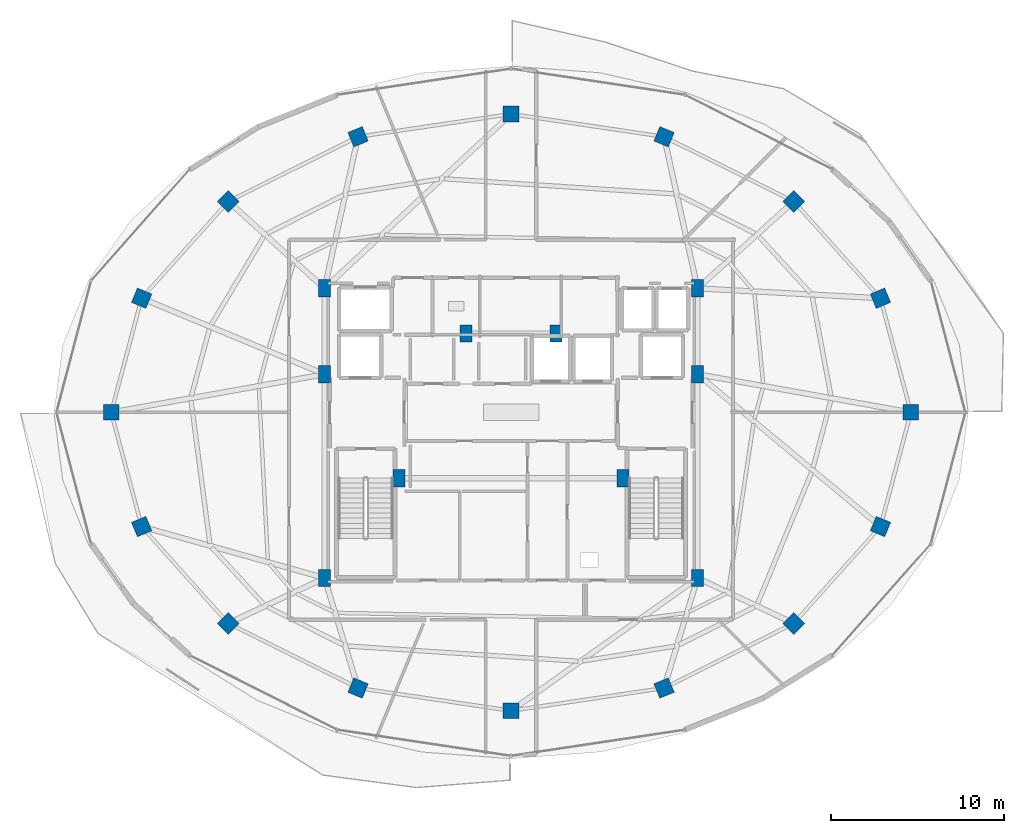
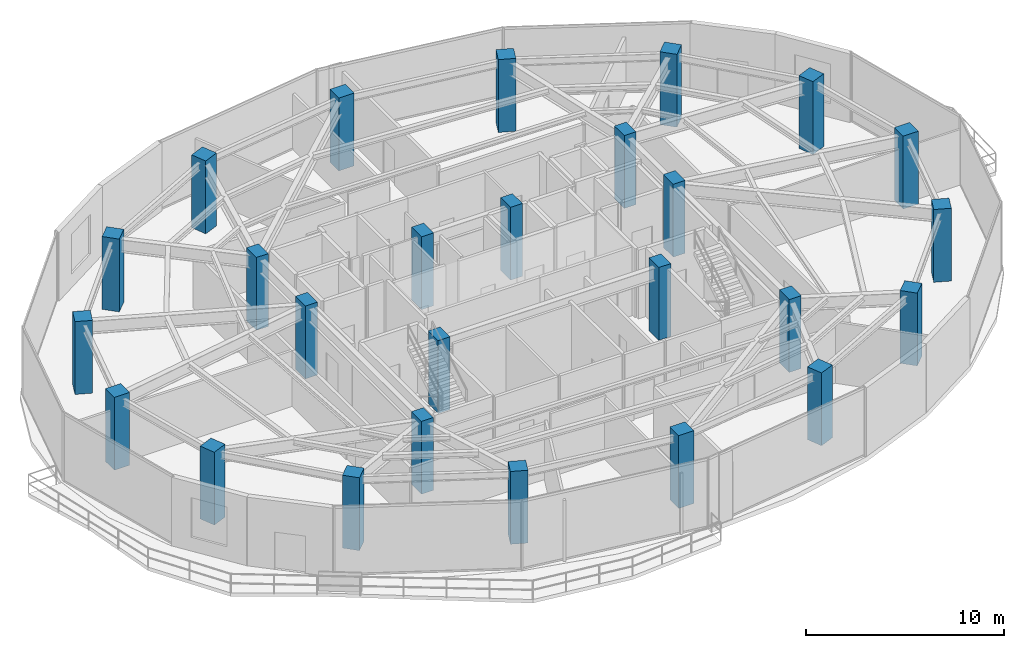
# One storey, part 1 of 27: 26 columns.
"""IFC4 building model written with IfcOpenShell, lengths in metres."""

from ifc_helpers import new_model, si_unit, direction, frame, origin, origin_2d, place, context, subcontext, project, spatial, rectangle, extrude, material, material_profile, profile_set, type_object, element, save


model = new_model("IFC4")

# Units and contexts
model_context = context("Model", 3, precision=1e-05, world=origin(), true_north=direction((0.0, 1.0)))
body_context = subcontext(model_context, "Body", "Model", "MODEL_VIEW")
ifc_project = project(units=[si_unit("LENGTHUNIT", "METRE"), si_unit("AREAUNIT", "SQUARE_METRE"), si_unit("VOLUMEUNIT", "CUBIC_METRE"), si_unit("PLANEANGLEUNIT", "RADIAN"), si_unit("MASSUNIT", "GRAM", prefix="KILO")], contexts=[model_context])

# Site, building, storey
site_placement = place(None, origin())
site = spatial("IfcSite", under=ifc_project, at=site_placement, CompositionType="ELEMENT")
building_placement = place(site_placement, origin())
building = spatial("IfcBuilding", under=site, at=building_placement, Name="Vorneva Point Tower", CompositionType="ELEMENT")
storey_placement = place(building_placement, frame((0.0, 0.0, 229.75)))
storey = spatial("IfcBuildingStorey", under=building, at=storey_placement, Name="L62", CompositionType="ELEMENT", Elevation=229.75)

# Columns
ifc_material = material(Name="Concrete B50 (C40/50)", Category="concrete")
ifc_material_profile_1 = material_profile(ifc_material, rectangle(XDim=0.89990234375, YDim=0.89990234375, at=origin_2d()), Name="RC-COL 900x900")
ifc_profile_set_1 = profile_set([ifc_material_profile_1], Name="Concrete B50 (C40/50)")
column_type_1 = type_object("IfcColumnType", Name="COL-RC900", PredefinedType="COLUMN", material=ifc_profile_set_1)
for number, where, z_axis, x_axis, name in (
    (1, (61.050048828125, 26.0, 0.0), (0.0, 0.0, 1.0), (1.0, 0.0, 0.0), "L62 Perimeter Column P01"),
    (2, (59.29541015625, 32.582275390625, 0.0), (0.0, 0.0, 1.0), (0.923879532511, 0.382683432365, 0.0), "L62 Perimeter Column P02"),
    (3, (54.298828125, 38.162109375, 0.0), (0.0, 0.0, 1.0), (0.707106781187, 0.707106781187, 0.0), "L62 Perimeter Column P03"),
    (4, (46.82080078125, 41.890625, 0.0), (0.0, 0.0, 1.0), (0.382683432365, 0.923879532511, 0.0), "L62 Perimeter Column P04"),
    (5, (38.0, 43.199951171875, 0.0), (0.0, 0.0, 1.0), (0.0, 1.0, 0.0), "L62 Perimeter Column P05"),
    (6, (29.17919921875, 41.890625, 0.0), (0.0, 0.0, 1.0), (-0.382683432365, 0.923879532511, 0.0), "L62 Perimeter Column P06"),
    (7, (21.701171875, 38.162109375, 0.0), (0.0, 0.0, 1.0), (-0.707106781187, 0.707106781187, 0.0), "L62 Perimeter Column P07"),
    (8, (16.70458984375, 32.582275390625, 0.0), (0.0, 0.0, 1.0), (-0.923879532511, 0.382683432365, 0.0), "L62 Perimeter Column P08"),
    (9, (14.949951171875, 26.0, 0.0), (0.0, 0.0, 1.0), (-1.0, 0.0, 0.0), "L62 Perimeter Column P09"),
    (10, (16.70458984375, 19.417724609375, 0.0), (0.0, 0.0, 1.0), (-0.923879532511, -0.382683432365, 0.0), "L62 Perimeter Column P10"),
    (11, (21.701171875, 13.837890625, 0.0), (0.0, 0.0, 1.0), (-0.707106781187, -0.707106781187, 0.0), "L62 Perimeter Column P11"),
    (12, (29.17919921875, 10.109375, 0.0), (0.0, 0.0, 1.0), (-0.382683432365, -0.923879532511, 0.0), "L62 Perimeter Column P12"),
    (13, (38.0, 8.800048828125, 0.0), (0.0, 0.0, 1.0), (0.0, -1.0, 0.0), "L62 Perimeter Column P13"),
    (14, (46.82080078125, 10.109375, 0.0), (0.0, 0.0, 1.0), (0.382683432365, -0.923879532511, 0.0), "L62 Perimeter Column P14"),
    (15, (54.298828125, 13.837890625, 0.0), (0.0, 0.0, 1.0), (0.707106781187, -0.707106781187, 0.0), "L62 Perimeter Column P15"),
    (16, (59.29541015625, 19.417724609375, 0.0), (0.0, 0.0, 1.0), (0.923879532511, -0.382683432365, 0.0), "L62 Perimeter Column P16"),
):
    element("IfcColumn", number, at=place(storey_placement, frame(where, z_axis=z_axis, x_axis=x_axis)), inside=storey, type_object=column_type_1, Name=name, PredefinedType="COLUMN", context=body_context, shape_type="SweptSolid", body=[
        extrude(rectangle(XDim=0.89990234375, YDim=0.89990234375, at=origin_2d()), origin(), (0.0, 0.0, 1.0), 4.5),
    ])
ifc_material_profile_2 = material_profile(ifc_material, rectangle(XDim=0.699951171875, YDim=1.0, at=origin_2d()), Name="RC-PIL 1000x700")
ifc_profile_set_2 = profile_set([ifc_material_profile_2], Name="Concrete B50 (C40/50)")
column_type_2 = type_object("IfcColumnType", Name="PIL-RC1000x700", PredefinedType="PILASTER", material=ifc_profile_set_2)
for number, where, z_axis, x_axis, name in (
    (17, (27.25, 16.449951171875, 0.0), (0.0, 0.0, 1.0), (1.0, 0.0, 0.0), "L62 Core Pilaster CP1"),
    (18, (27.25, 28.199951171875, 0.0), (0.0, 0.0, 1.0), (1.0, 0.0, 0.0), "L62 Core Pilaster CP2"),
    (19, (27.25, 33.14990234375, 0.0), (0.0, 0.0, 1.0), (1.0, 0.0, 0.0), "L62 Core Pilaster CP3"),
    (20, (31.550048828125, 22.199951171875, 0.0), (0.0, 0.0, 1.0), (1.0, 0.0, 0.0), "L62 Core Pilaster CP4"),
    (21, (48.75, 33.14990234375, 0.0), (0.0, 0.0, 1.0), (1.0, 0.0, 0.0), "L62 Core Pilaster CP5"),
    (22, (48.75, 28.199951171875, 0.0), (0.0, 0.0, 1.0), (1.0, 0.0, 0.0), "L62 Core Pilaster CP6"),
    (23, (48.75, 16.449951171875, 0.0), (0.0, 0.0, 1.0), (1.0, 0.0, 0.0), "L62 Core Pilaster CP7"),
    (24, (44.449951171875, 22.199951171875, 0.0), (0.0, 0.0, 1.0), (1.0, 0.0, 0.0), "L62 Core Pilaster CP8"),
    (25, (35.39990234375, 30.550048828125, 0.0), (0.0, 0.0, 1.0), (1.0, 0.0, 0.0), "L62 Core Pilaster CP9"),
    (26, (40.60009765625, 30.550048828125, 0.0), (0.0, 0.0, 1.0), (1.0, 0.0, 0.0), "L62 Core Pilaster CP10"),
):
    element("IfcColumn", number, at=place(storey_placement, frame(where, z_axis=z_axis, x_axis=x_axis)), inside=storey, type_object=column_type_2, Name=name, PredefinedType="PILASTER", context=body_context, shape_type="SweptSolid", body=[
        extrude(rectangle(XDim=0.699951171875, YDim=1.0, at=origin_2d()), origin(), (0.0, 0.0, 1.0), 4.5),
    ])

save(model, "model.ifc")
